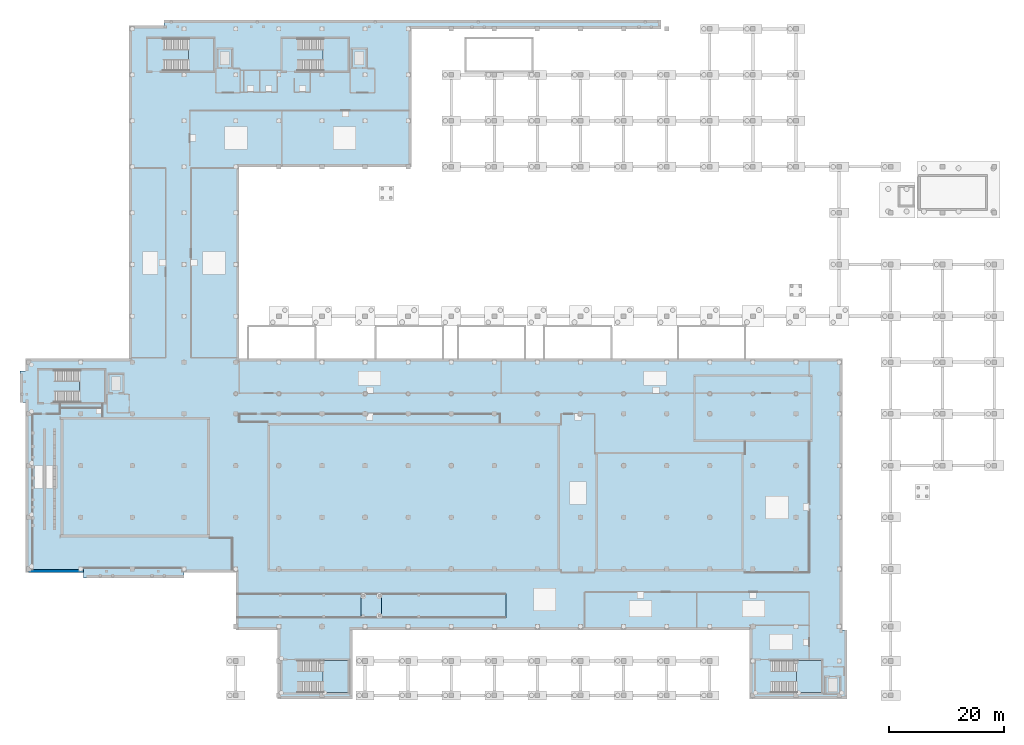
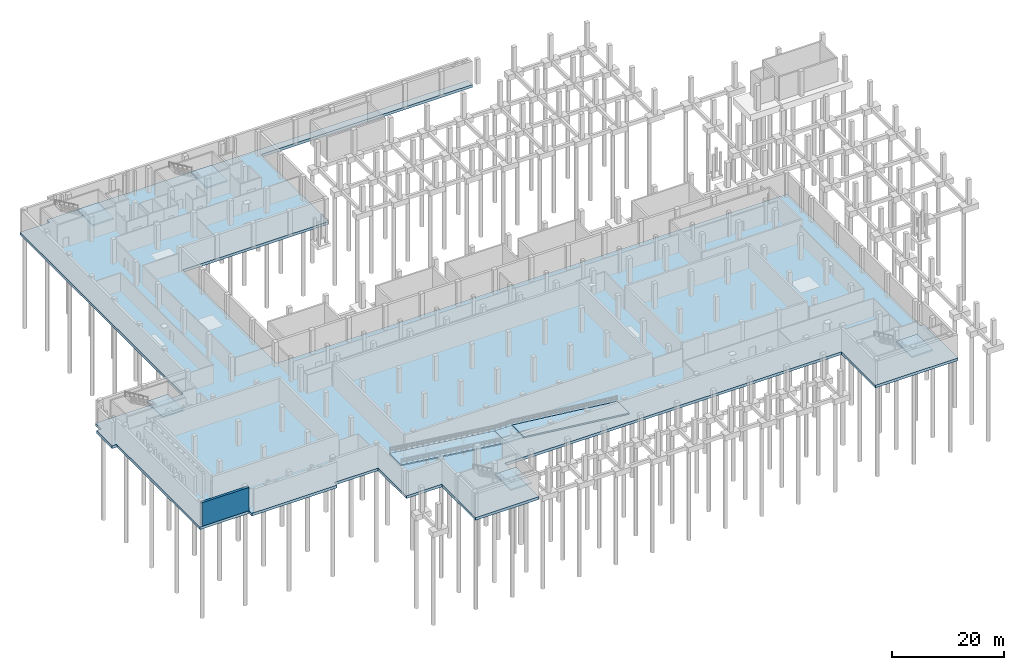
# One storey, part 7 of 19: 9 slabs, 1 wall, 5 elements without a shape of their own.
"""IFC4 building model written with IfcOpenShell, lengths in metres."""

from ifc_helpers import new_model, si_unit, direction, frame, frame_2d, origin, place, context, subcontext, project, spatial, polyline, rectangle, outline, extrude, material, layer, layer_set, type_object, element, aggregate, save


model = new_model("IFC4")

# Units and contexts
model_context = context("Model", 3, precision=1e-05, world=origin(), true_north=direction((0.0, 1.0)))
body_context = subcontext(model_context, "Body", "Model", "MODEL_VIEW")
ifc_project = project(units=[si_unit("LENGTHUNIT", "METRE"), si_unit("AREAUNIT", "SQUARE_METRE"), si_unit("VOLUMEUNIT", "CUBIC_METRE"), si_unit("PLANEANGLEUNIT", "RADIAN"), si_unit("MASSUNIT", "GRAM", prefix="KILO")], contexts=[model_context])

# Site, building, storey
site_placement = place(None, origin())
site = spatial("IfcSite", under=ifc_project, at=site_placement, CompositionType="ELEMENT")
building_placement = place(site_placement, origin())
building = spatial("IfcBuilding", under=site, at=building_placement, Name="Vourika Railside Aquatics Centre", CompositionType="ELEMENT")
storey_placement = place(building_placement, frame((0.0, 0.0, -5.39990234375)))
storey = spatial("IfcBuildingStorey", under=building, at=storey_placement, Name="B1", CompositionType="ELEMENT", Elevation=-5.39990234375)

# Stair, slab
ifc_material_1 = material(Name="Concrete C35/45", Category="concrete")
stair_type = type_object("IfcStairType", Name="STR-CORE-B1", PredefinedType="TWO_STRAIGHT_RUN_STAIR", material=ifc_material_1)
stair_1_placement = place(storey_placement, origin())
stair_1 = element("IfcStair", 1, at=stair_1_placement, inside=storey, type_object=stair_type, Name="Protected Exit Stair Core ST01 (B1)", PredefinedType="TWO_STRAIGHT_RUN_STAIR")
ifc_layer_1 = layer(ifc_material_1, 0.31005859375, Name="SLB-LND-310")
ifc_layer_set_1 = layer_set([ifc_layer_1], Name="Concrete C35/45")
slab_type_1 = type_object("IfcSlabType", Name="SLB-LND-310", PredefinedType="LANDING", material=ifc_layer_set_1)
slab_1_placement = place(storey_placement, frame((0.0, 0.0, 2.389892578125)))
slab_1 = element("IfcSlab", 2, at=slab_1_placement, type_object=slab_type_1, Name="STC-B1 landing 1", PredefinedType="LANDING", context=body_context, shape_type="SweptSolid", body=[
    extrude(outline(polyline([(27.780029296875, 108.699951171875), (32.10009765625, 108.699951171875), (32.10009765625, 114.300048828125), (27.780029296875, 114.300048828125), (27.780029296875, 108.699951171875)])), origin(), (0.0, 0.0, 1.0), 0.31005859375),
])
aggregate(stair_1, [slab_1])

stair_2_placement = place(storey_placement, origin())
stair_2 = element("IfcStair", 3, at=stair_2_placement, inside=storey, type_object=stair_type, Name="Protected Exit Stair Core ST02 (B1)", PredefinedType="TWO_STRAIGHT_RUN_STAIR")
slab_2_placement = place(storey_placement, frame((0.0, 0.0, 2.389892578125)))
slab_2 = element("IfcSlab", 4, at=slab_2_placement, type_object=slab_type_1, Name="STC-B1 landing 1", PredefinedType="LANDING", context=body_context, shape_type="SweptSolid", body=[
    extrude(outline(polyline([(51.179931640625, 108.699951171875), (55.5, 108.699951171875), (55.5, 114.300048828125), (51.179931640625, 114.300048828125), (51.179931640625, 108.699951171875)])), origin(), (0.0, 0.0, 1.0), 0.31005859375),
])
aggregate(stair_2, [slab_2])

stair_3_placement = place(storey_placement, origin())
stair_3 = element("IfcStair", 5, at=stair_3_placement, inside=storey, type_object=stair_type, Name="Protected Exit Stair Core ST04 (B1)", PredefinedType="TWO_STRAIGHT_RUN_STAIR")
slab_3_placement = place(storey_placement, frame((0.0, 0.0, 2.389892578125)))
slab_3 = element("IfcSlab", 6, at=slab_3_placement, type_object=slab_type_1, Name="STC-B1 landing 1", PredefinedType="LANDING", context=body_context, shape_type="SweptSolid", body=[
    extrude(outline(polyline([(8.830078125, 51.0), (13.14990234375, 51.0), (13.14990234375, 56.60009765625), (8.830078125, 56.60009765625), (8.830078125, 51.0)])), origin(), (0.0, 0.0, 1.0), 0.31005859375),
])
aggregate(stair_3, [slab_3])

stair_4_placement = place(storey_placement, origin())
stair_4 = element("IfcStair", 7, at=stair_4_placement, inside=storey, type_object=stair_type, Name="Protected Exit Stair Core ST06 (B1)", PredefinedType="TWO_STRAIGHT_RUN_STAIR")
slab_4_placement = place(storey_placement, frame((0.0, 0.0, 2.389892578125)))
slab_4 = element("IfcSlab", 8, at=slab_4_placement, type_object=slab_type_1, Name="STC-B1 landing 1", PredefinedType="LANDING", context=body_context, shape_type="SweptSolid", body=[
    extrude(outline(polyline([(133.580078125, 0.5), (137.89990234375, 0.5), (137.89990234375, 6.10009765625), (133.580078125, 6.10009765625), (133.580078125, 0.5)])), origin(), (0.0, 0.0, 1.0), 0.31005859375),
])
aggregate(stair_4, [slab_4])

stair_5_placement = place(storey_placement, origin())
stair_5 = element("IfcStair", 9, at=stair_5_placement, inside=storey, type_object=stair_type, Name="Protected Exit Stair Core ST11 (B1)", PredefinedType="TWO_STRAIGHT_RUN_STAIR")
slab_5_placement = place(storey_placement, frame((0.0, 0.0, 2.389892578125)))
slab_5 = element("IfcSlab", 10, at=slab_5_placement, type_object=slab_type_1, Name="STC-B1 landing 1", PredefinedType="LANDING", context=body_context, shape_type="SweptSolid", body=[
    extrude(outline(polyline([(51.179931640625, 0.5), (55.5, 0.5), (55.5, 6.10009765625), (51.179931640625, 6.10009765625), (51.179931640625, 0.5)])), origin(), (0.0, 0.0, 1.0), 0.31005859375),
])
aggregate(stair_5, [slab_5])

# Slabs
ifc_material_2 = material(Name="Concrete C40/50", Category="concrete")
ifc_layer_2 = layer(ifc_material_2, 0.60009765625, Name="SLB-RAFT-600")
ifc_layer_set_2 = layer_set([ifc_layer_2], Name="Concrete C40/50")
slab_type_2 = type_object("IfcSlabType", Name="SLB-RAFT-600", PredefinedType="BASESLAB", material=ifc_layer_set_2)
slab_6_placement = place(storey_placement, frame((0.0, 0.0, -0.60009765625)))
element("IfcSlab", 11, at=slab_6_placement, inside=storey, type_object=slab_type_2, Name="Basement B1 Watertight Piled Raft Foundation Slab", PredefinedType="BASESLAB", context=body_context, shape_type="SweptSolid", body=[
    extrude(outline(polyline([(36.0, 11.39990234375), (36.0, 21.39990234375), (27.0, 21.39990234375), (27.0, 20.449951171875), (9.5, 20.449951171875), (9.5, 21.39990234375), (-0.60009765625, 21.39990234375), (-0.60009765625, 51.0), (-1.550048828125, 51.0), (-1.550048828125, 56.5), (-0.60009765625, 56.5), (-0.60009765625, 58.60009765625), (17.39990234375, 58.60009765625), (17.39990234375, 116.60009765625), (23.5, 116.60009765625), (23.5, 117.550048828125), (110.0, 117.550048828125), (110.0, 116.0), (66.60009765625, 116.0), (66.60009765625, 92.0), (36.60009765625, 92.0), (36.60009765625, 58.60009765625), (141.60009765625, 58.60009765625), (141.60009765625, 11.39990234375), (142.39990234375, 11.39990234375), (142.39990234375, -0.60009765625), (125.39990234375, -0.60009765625), (125.39990234375, 11.39990234375), (56.300048828125, 11.39990234375), (56.300048828125, -0.60009765625), (43.300048828125, -0.60009765625), (43.300048828125, 11.39990234375), (36.0, 11.39990234375)])), origin(), (0.0, 0.0, 1.0), 0.60009765625),
])
ifc_layer_3 = layer(ifc_material_2, 0.280029296875, Name="SLB-RAMP-280")
ifc_layer_set_3 = layer_set([ifc_layer_3], Name="Concrete C40/50")
slab_type_3 = type_object("IfcSlabType", Name="SLB-RAMP-280", PredefinedType="FLOOR", material=ifc_layer_set_3)
slab_7_placement = place(storey_placement, frame((36.169921875, 13.5, 5.39990234375), z_axis=(0.123862422769, 0.0, 0.992299400497), x_axis=(0.992299400497, 0.0, -0.123862422769)))
element("IfcSlab", 12, at=slab_7_placement, inside=storey, type_object=slab_type_3, Name="Service Vehicle Ramp RV01 Upper Structural Slab", PredefinedType="FLOOR", context=body_context, shape_type="SweptSolid", body=[
    extrude(outline(polyline([(0.0, 0.0), (21.79798450175644, 0.0), (21.79798450175644, 4.199951171875), (0.0, 4.199951171875), (0.0, 0.0)])), origin(), (0.0, 0.0, -1.0), 0.280029296875),
])
slab_8_placement = place(storey_placement, frame((0.0, 0.0, 2.419921875)))
element("IfcSlab", 13, at=slab_8_placement, inside=storey, type_object=slab_type_3, Name="Service Vehicle Ramp RV01 Mid-Landing Slab", PredefinedType="FLOOR", context=body_context, shape_type="SweptSolid", body=[
    extrude(outline(polyline([(57.800048828125, 13.5), (61.39990234375, 13.5), (61.39990234375, 17.699951171875), (57.800048828125, 17.699951171875), (57.800048828125, 13.5)])), origin(), (0.0, 0.0, 1.0), 0.280029296875),
])
slab_9_placement = place(storey_placement, frame((61.39990234375, 13.5, 2.699951171875), z_axis=(0.111347473391, 0.0, 0.993781535434), x_axis=(0.993781535434, 0.0, -0.111347473391)))
element("IfcSlab", 14, at=slab_9_placement, inside=storey, type_object=slab_type_3, Name="Service Vehicle Ramp RV01 Lower Structural Slab", PredefinedType="FLOOR", context=body_context, shape_type="SweptSolid", body=[
    extrude(outline(polyline([(0.0, 0.0), (21.735257585377795, 0.0), (21.735257585377795, 4.199951171875), (0.0, 4.199951171875), (0.0, 0.0)])), origin(), (0.0, 0.0, -1.0), 0.280029296875),
])

# Wall
ifc_layer_4 = layer(ifc_material_2, 0.5, Name="WL-RET-500")
ifc_layer_set_4 = layer_set([ifc_layer_4], Name="Concrete C40/50")
wall_type = type_object("IfcWallType", Name="WL-RET-500", PredefinedType="USERDEFINED", material=ifc_layer_set_4)
wall_placement = place(storey_placement, frame((9.5, 21.64990234375, 0.0), z_axis=(0.0, 0.0, 1.0), x_axis=(-1.0, 0.0, 0.0)))
element("IfcWall", 15, at=wall_placement, inside=storey, type_object=wall_type, Name="Basement Retaining Wall RW-04", ObjectType="RETAININGWALL", PredefinedType="USERDEFINED", context=body_context, shape_type="SweptSolid", body=[
    extrude(rectangle(XDim=9.60009765625, YDim=0.5, at=frame_2d((4.800048828125, 0.0))), origin(), (0.0, 0.0, 1.0), 5.079833984375),
])

save(model, "model.ifc")
